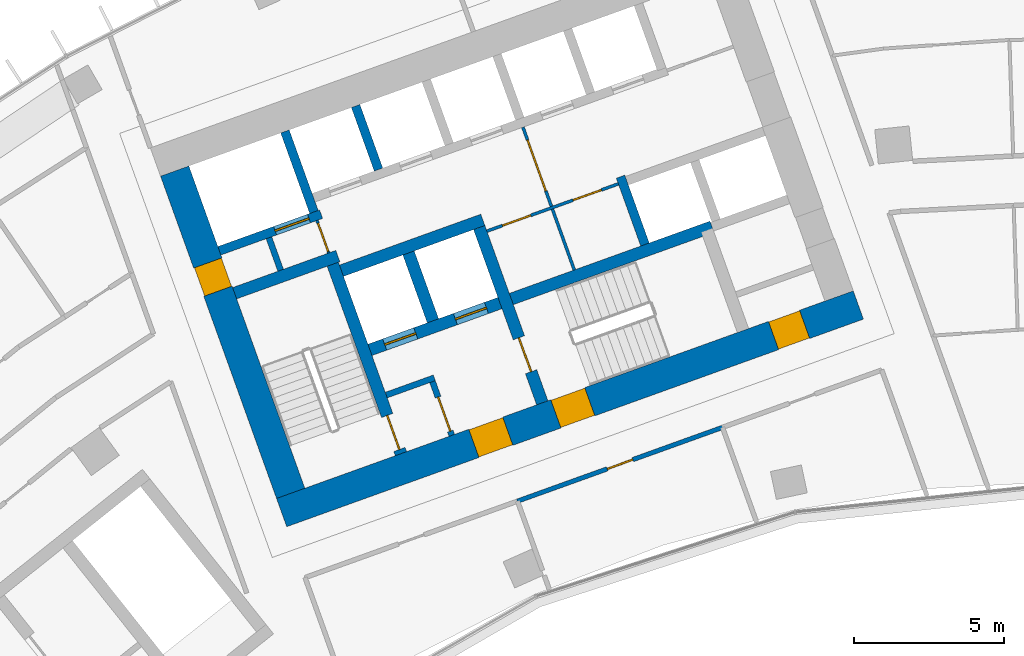
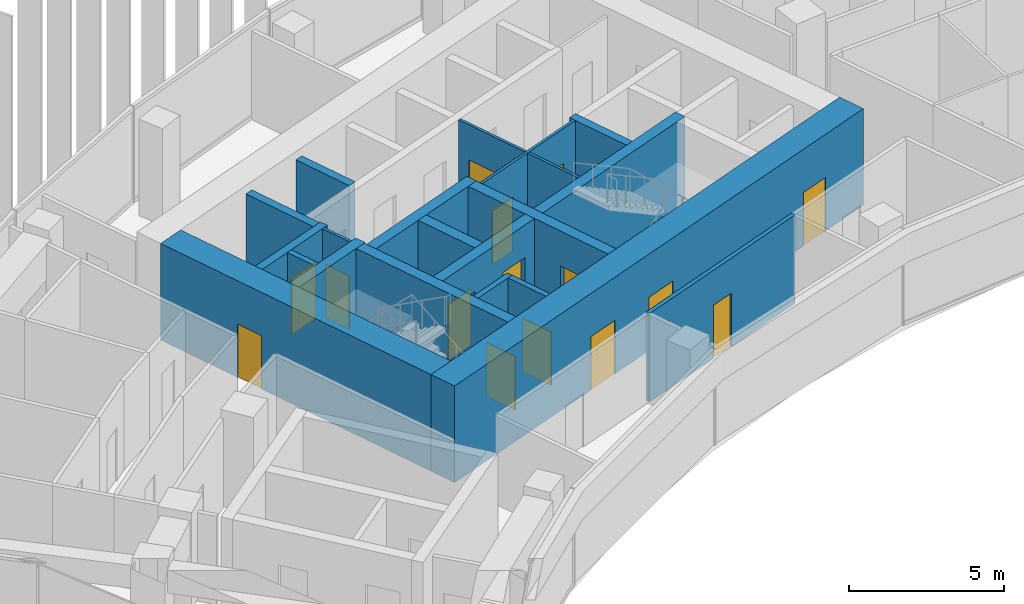
# One storey, part 14 of 20: 19 walls, 15 doors, 15 openings.
"""IFC4 building model written with IfcOpenShell, lengths in metres."""

from ifc_helpers import new_model, si_unit, direction, frame, frame_2d, origin, place, context, subcontext, project, spatial, rectangle, extrude, material, layer, layer_set, type_object, element, fill, save


model = new_model("IFC4")

# Units and contexts
model_context = context("Model", 3, precision=1e-05, world=origin(), true_north=direction((0.0, 1.0)))
body_context = subcontext(model_context, "Body", "Model", "MODEL_VIEW")
ifc_project = project(units=[si_unit("LENGTHUNIT", "METRE"), si_unit("AREAUNIT", "SQUARE_METRE"), si_unit("VOLUMEUNIT", "CUBIC_METRE"), si_unit("PLANEANGLEUNIT", "RADIAN"), si_unit("MASSUNIT", "GRAM", prefix="KILO")], contexts=[model_context])

# Site, building, storey
site_placement = place(None, origin())
site = spatial("IfcSite", under=ifc_project, at=site_placement, CompositionType="ELEMENT")
building_placement = place(site_placement, origin())
building = spatial("IfcBuilding", under=site, at=building_placement, Name="Stone Belt Terrace Tower", CompositionType="ELEMENT")
storey_placement = place(building_placement, frame((0.0, 0.0, 212.39990234375)))
storey = spatial("IfcBuildingStorey", under=building, at=storey_placement, Name="L51", CompositionType="ELEMENT", Elevation=212.39990234375)

# Wall, opening, door
ifc_material_1 = material(Name="Plasterboard partition")
ifc_layer_1 = layer(ifc_material_1, 0.10009765625)
ifc_layer_set_1 = layer_set([ifc_layer_1], Name="Core partition 100")
wall_type_1 = type_object("IfcWallType", Name="Core partition 100", PredefinedType="PARTITIONING", material=ifc_layer_set_1)
wall_1_placement = place(storey_placement, frame((-24.555908203125, 51.10400390625, 0.0), z_axis=(0.0, 0.0, 1.0), x_axis=(-0.338621735342, 0.94092258999, 0.0)))
wall_1 = element("IfcWall", 1, at=wall_1_placement, inside=storey, type_object=wall_type_1, Name="Core A wall", PredefinedType="PARTITIONING", context=body_context, shape_type="SweptSolid", body=[
    extrude(rectangle(XDim=1.14990234375, YDim=0.10009765625, at=frame_2d((0.574951171875, 0.0))), origin(), (0.0, 0.0, 1.0), 3.47998046875),
])
opening_1_placement = place(wall_1_placement, frame((0.050048828125, 0.0, 0.0)))
opening_1 = element("IfcOpeningElement", 2, at=opening_1_placement, cuts=wall_1, Name="Opening L51-C05", PredefinedType="OPENING", context=body_context, shape_type="SweptSolid", body=[
    extrude(rectangle(XDim=1.0, YDim=2.10009765625, at=frame_2d((0.5, 1.050048828125))), frame((0.0, 0.06005859375, 0.0), z_axis=(0.0, -1.0, 0.0), x_axis=(1.0, 0.0, 0.0)), (0.0, 0.0, 1.0), 0.1201171875),
])
ifc_material_2 = material(Name="Timber door leaf", Category="wood")
door_type_1 = type_object("IfcDoorType", Name="Core room door 1000", OperationType="SINGLE_SWING_LEFT", PredefinedType="DOOR", material=ifc_material_2)
door_1_placement = place(opening_1_placement, origin())
door_1 = element("IfcDoor", 3, at=door_1_placement, inside=storey, type_object=door_type_1, Name="Service lift lobby door core A", OperationType="SINGLE_SWING_LEFT", OverallHeight=2.10009765625, OverallWidth=1.0, PredefinedType="DOOR", context=body_context, shape_type="SweptSolid", body=[
    extrude(rectangle(XDim=1.0, YDim=2.10009765625, at=frame_2d((0.5, 1.050048828125))), frame((0.0, 0.02490234375, 0.0), z_axis=(0.0, -1.0, 0.0), x_axis=(1.0, 0.0, 0.0)), (0.0, 0.0, 1.0), 0.050048828125),
])
fill(opening_1, door_1)

# Wall, openings, doors
wall_2_placement = place(storey_placement, frame((-19.29052734375, 51.829833984375, 0.0), z_axis=(0.0, 0.0, 1.0), x_axis=(0.940930240745, 0.338600475563, 0.0)))
wall_2 = element("IfcWall", 4, at=wall_2_placement, inside=storey, type_object=wall_type_1, Name="Core A wall", PredefinedType="PARTITIONING", context=body_context, shape_type="SweptSolid", body=[
    extrude(rectangle(XDim=4.64990234375, YDim=0.10009765625, at=frame_2d((2.324951171875, 0.0))), origin(), (0.0, 0.0, 1.0), 3.47998046875),
])
opening_2_placement = place(wall_2_placement, frame((0.550048828125, 0.0, 0.0)))
opening_2 = element("IfcOpeningElement", 5, at=opening_2_placement, cuts=wall_2, Name="Opening L51-C02", PredefinedType="OPENING", context=body_context, shape_type="SweptSolid", body=[
    extrude(rectangle(XDim=1.0, YDim=2.10009765625, at=frame_2d((0.5, 1.050048828125))), frame((0.0, 0.06005859375, 0.0), z_axis=(0.0, -1.0, 0.0), x_axis=(1.0, 0.0, 0.0)), (0.0, 0.0, 1.0), 0.1201171875),
])
opening_3_placement = place(wall_2_placement, frame((3.050048828125, 0.0, 0.0)))
opening_3 = element("IfcOpeningElement", 6, at=opening_3_placement, cuts=wall_2, Name="Opening L51-C03", PredefinedType="OPENING", context=body_context, shape_type="SweptSolid", body=[
    extrude(rectangle(XDim=1.0, YDim=2.10009765625, at=frame_2d((0.5, 1.050048828125))), frame((0.0, 0.06005859375, 0.0), z_axis=(0.0, -1.0, 0.0), x_axis=(1.0, 0.0, 0.0)), (0.0, 0.0, 1.0), 0.1201171875),
])
door_2_placement = place(opening_2_placement, origin())
door_2 = element("IfcDoor", 7, at=door_2_placement, inside=storey, type_object=door_type_1, Name="Door to Telecommunications room core A", OperationType="SINGLE_SWING_LEFT", OverallHeight=2.10009765625, OverallWidth=1.0, PredefinedType="DOOR", context=body_context, shape_type="SweptSolid", body=[
    extrude(rectangle(XDim=1.0, YDim=2.10009765625, at=frame_2d((0.5, 1.050048828125))), frame((0.0, 0.02490234375, 0.0), z_axis=(0.0, -1.0, 0.0), x_axis=(1.0, 0.0, 0.0)), (0.0, 0.0, 1.0), 0.050048828125),
])
fill(opening_2, door_2)
door_3_placement = place(opening_3_placement, origin())
door_3 = element("IfcDoor", 8, at=door_3_placement, inside=storey, type_object=door_type_1, Name="Door to Archive store core A", OperationType="SINGLE_SWING_RIGHT", OverallHeight=2.10009765625, OverallWidth=1.0, PredefinedType="DOOR", context=body_context, shape_type="SweptSolid", body=[
    extrude(rectangle(XDim=1.0, YDim=2.10009765625, at=frame_2d((0.5, 1.050048828125))), frame((0.0, 0.02490234375, 0.0), z_axis=(0.0, -1.0, 0.0), x_axis=(1.0, 0.0, 0.0)), (0.0, 0.0, 1.0), 0.050048828125),
])
fill(opening_3, door_3)

# Wall, opening, door
wall_3_placement = place(storey_placement, frame((-16.38134765625, 50.53857421875, 0.0), z_axis=(0.0, 0.0, 1.0), x_axis=(-0.33860476744, 0.940928696271, 0.0)))
wall_3 = element("IfcWall", 9, at=wall_3_placement, inside=storey, type_object=wall_type_1, Name="Core A wall", PredefinedType="PARTITIONING", context=body_context, shape_type="SweptSolid", body=[
    extrude(rectangle(XDim=5.050048828125, YDim=0.10009765625, at=frame_2d((2.52490234375, 0.0))), origin(), (0.0, 0.0, 1.0), 3.47998046875),
])
opening_4_placement = place(wall_3_placement, frame((2.800048828125, 0.0, 0.0)))
opening_4 = element("IfcOpeningElement", 10, at=opening_4_placement, cuts=wall_3, Name="Opening L51-C06", PredefinedType="OPENING", context=body_context, shape_type="SweptSolid", body=[
    extrude(rectangle(XDim=1.800048828125, YDim=2.10009765625, at=frame_2d((0.89990234375, 1.050048828125))), frame((0.0, 0.06005859375, 0.0), z_axis=(0.0, -1.0, 0.0), x_axis=(1.0, 0.0, 0.0)), (0.0, 0.0, 1.0), 0.1201171875),
])
ifc_material_3 = material(Name="Glazed aluminium door leaf", Category="aluminium")
door_type_2 = type_object("IfcDoorType", Name="Lift lobby entrance door 1800", OperationType="DOUBLE_DOOR_SINGLE_SWING", PredefinedType="DOOR", material=ifc_material_3)
door_4_placement = place(opening_4_placement, origin())
door_4 = element("IfcDoor", 11, at=door_4_placement, inside=storey, type_object=door_type_2, Name="Lift lobby double door core A", OperationType="DOUBLE_DOOR_SINGLE_SWING", OverallHeight=2.10009765625, OverallWidth=1.800048828125, PredefinedType="DOOR", context=body_context, shape_type="SweptSolid", body=[
    extrude(rectangle(XDim=1.800048828125, YDim=2.10009765625, at=frame_2d((0.89990234375, 1.050048828125))), frame((0.0, 0.02490234375, 0.0), z_axis=(0.0, -1.0, 0.0), x_axis=(1.0, 0.0, 0.0)), (0.0, 0.0, 1.0), 0.050048828125),
])
fill(opening_4, door_4)

# Wall, openings, doors
ifc_material_4 = material(Name="Concrete B60", Category="concrete")
ifc_layer_2 = layer(ifc_material_4, 1.0)
ifc_layer_set_2 = layer_set([ifc_layer_2], Name="Core wall 1000 B60")
wall_type_2 = type_object("IfcWallType", Name="Core wall 1000 B60", PredefinedType="SHEAR", material=ifc_layer_set_2)
wall_4_placement = place(storey_placement, frame((-26.122314453125, 42.462890625, 0.0), z_axis=(0.0, 0.0, 1.0), x_axis=(0.940921428504, 0.338624962727, 0.0)))
wall_4 = element("IfcWall", 12, at=wall_4_placement, inside=storey, type_object=wall_type_2, Name="Core A wall concave L51", PredefinedType="SHEAR", context=body_context, shape_type="SweptSolid", body=[
    extrude(rectangle(XDim=20.400146484375, YDim=1.0, at=frame_2d((10.2001953125, 0.0))), origin(), (0.0, 0.0, 1.0), 3.800048828125),
])
opening_5_placement = place(wall_4_placement, frame((6.800048828125, 0.0, 0.0)))
opening_5 = element("IfcOpeningElement", 13, at=opening_5_placement, cuts=wall_4, Name="Opening L51-C10", PredefinedType="OPENING", context=body_context, shape_type="SweptSolid", body=[
    extrude(rectangle(XDim=1.199951171875, YDim=2.10009765625, at=frame_2d((0.60009765625, 1.050048828125))), frame((0.0, 0.510009765625, 0.0), z_axis=(0.0, -1.0, 0.0), x_axis=(1.0, 0.0, 0.0)), (0.0, 0.0, 1.0), 1.02001953125),
])
opening_6_placement = place(wall_4_placement, frame((9.699951171875, 0.0, 0.0)))
opening_6 = element("IfcOpeningElement", 14, at=opening_6_placement, cuts=wall_4, Name="Opening L51-C12", PredefinedType="OPENING", context=body_context, shape_type="SweptSolid", body=[
    extrude(rectangle(XDim=1.199951171875, YDim=2.10009765625, at=frame_2d((0.60009765625, 1.050048828125))), frame((0.0, 0.510009765625, 0.0), z_axis=(0.0, -1.0, 0.0), x_axis=(1.0, 0.0, 0.0)), (0.0, 0.0, 1.0), 1.02001953125),
])
opening_7_placement = place(wall_4_placement, frame((17.400146484375, 0.0, 0.0)))
opening_7 = element("IfcOpeningElement", 15, at=opening_7_placement, cuts=wall_4, Name="Opening L51-C14", PredefinedType="OPENING", context=body_context, shape_type="SweptSolid", body=[
    extrude(rectangle(XDim=1.10009765625, YDim=2.10009765625, at=frame_2d((0.550048828125, 1.050048828125))), frame((0.0, 0.510009765625, 0.0), z_axis=(0.0, -1.0, 0.0), x_axis=(1.0, 0.0, 0.0)), (0.0, 0.0, 1.0), 1.02001953125),
])
door_type_3 = type_object("IfcDoorType", Name="Core room door 1100", OperationType="SINGLE_SWING_LEFT", PredefinedType="DOOR", material=ifc_material_2)
door_5_placement = place(opening_7_placement, origin())
door_5 = element("IfcDoor", 16, at=door_5_placement, inside=storey, type_object=door_type_3, Name="Door to Pipe riser core A", OperationType="SINGLE_SWING_LEFT", OverallHeight=2.10009765625, OverallWidth=1.10009765625, PredefinedType="DOOR", context=body_context, shape_type="SweptSolid", body=[
    extrude(rectangle(XDim=1.10009765625, YDim=2.10009765625, at=frame_2d((0.550048828125, 1.050048828125))), frame((0.0, 0.47998046875, 0.0), z_axis=(0.0, -1.0, 0.0), x_axis=(1.0, 0.0, 0.0)), (0.0, 0.0, 1.0), 0.9599609375),
])
fill(opening_7, door_5)
ifc_material_5 = material(Name="Steel door leaf", Category="steel")
door_type_4 = type_object("IfcDoorType", Name="Fire-fighting lobby door 1200", OperationType="SINGLE_SWING_LEFT", PredefinedType="DOOR", material=ifc_material_5)
door_6_placement = place(opening_5_placement, origin())
door_6 = element("IfcDoor", 17, at=door_6_placement, inside=storey, type_object=door_type_4, Name="Fire-fighting lobby door core A", OperationType="SINGLE_SWING_LEFT", OverallHeight=2.10009765625, OverallWidth=1.199951171875, PredefinedType="DOOR", context=body_context, shape_type="SweptSolid", body=[
    extrude(rectangle(XDim=1.199951171875, YDim=2.10009765625, at=frame_2d((0.60009765625, 1.050048828125))), frame((0.0, 0.47998046875, 0.0), z_axis=(0.0, -1.0, 0.0), x_axis=(1.0, 0.0, 0.0)), (0.0, 0.0, 1.0), 0.9599609375),
])
fill(opening_5, door_6)
door_type_5 = type_object("IfcDoorType", Name="Stair door 1200", OperationType="SINGLE_SWING_LEFT", PredefinedType="DOOR", material=ifc_material_5)
door_7_placement = place(opening_6_placement, origin())
door_7 = element("IfcDoor", 18, at=door_7_placement, inside=storey, type_object=door_type_5, Name="Stair 2 exit door core A", OperationType="SINGLE_SWING_RIGHT", OverallHeight=2.10009765625, OverallWidth=1.199951171875, PredefinedType="DOOR", context=body_context, shape_type="SweptSolid", body=[
    extrude(rectangle(XDim=1.199951171875, YDim=2.10009765625, at=frame_2d((0.60009765625, 1.050048828125))), frame((0.0, 0.47998046875, 0.0), z_axis=(0.0, -1.0, 0.0), x_axis=(1.0, 0.0, 0.0)), (0.0, 0.0, 1.0), 0.9599609375),
])
fill(opening_6, door_7)

# Wall, opening, door
wall_5_placement = place(storey_placement, frame((-25.821044921875, 43.102783203125, 0.0), z_axis=(0.0, 0.0, 1.0), x_axis=(-0.338625431531, 0.940921259788, 0.0)))
wall_5 = element("IfcWall", 19, at=wall_5_placement, inside=storey, type_object=wall_type_2, Name="Core A wall end_a L51", PredefinedType="SHEAR", context=body_context, shape_type="SweptSolid", body=[
    extrude(rectangle(XDim=11.400146484375, YDim=1.0, at=frame_2d((5.7001953125, 0.0))), origin(), (0.0, 0.0, 1.0), 3.800048828125),
])
opening_8_placement = place(wall_5_placement, frame((7.14990234375, 0.0, 0.0)))
opening_8 = element("IfcOpeningElement", 20, at=opening_8_placement, cuts=wall_5, Name="Opening L51-C04", PredefinedType="OPENING", context=body_context, shape_type="SweptSolid", body=[
    extrude(rectangle(XDim=1.0, YDim=2.10009765625, at=frame_2d((0.5, 1.050048828125))), frame((0.0, 0.510009765625, 0.0), z_axis=(0.0, -1.0, 0.0), x_axis=(1.0, 0.0, 0.0)), (0.0, 0.0, 1.0), 1.02001953125),
])
door_8_placement = place(opening_8_placement, origin())
door_8 = element("IfcDoor", 21, at=door_8_placement, inside=storey, type_object=door_type_1, Name="Door to Telecommunications riser room core A", OperationType="SINGLE_SWING_RIGHT", OverallHeight=2.10009765625, OverallWidth=1.0, PredefinedType="DOOR", context=body_context, shape_type="SweptSolid", body=[
    extrude(rectangle(XDim=1.0, YDim=2.10009765625, at=frame_2d((0.5, 1.050048828125))), frame((0.0, 0.47021484375, 0.0), z_axis=(0.0, -1.0, 0.0), x_axis=(1.0, 0.0, 0.0)), (0.0, 0.0, 1.0), 0.949951171875),
])
fill(opening_8, door_8)

# Walls
ifc_material_6 = material(Name="Concrete B80", Category="concrete")
ifc_layer_3 = layer(ifc_material_6, 0.39990234375)
ifc_layer_set_3 = layer_set([ifc_layer_3], Name="Fire-fighting lift shaft wall 400")
wall_type_3 = type_object("IfcWallType", Name="Fire-fighting lift shaft wall 400", PredefinedType="SHEAR", material=ifc_layer_set_3)
wall_6_placement = place(storey_placement, frame((-24.130615234375, 50.512939453125, 0.0), z_axis=(0.0, 0.0, 1.0), x_axis=(0.94091168377, 0.338652038744, 0.0)))
element("IfcWall", 22, at=wall_6_placement, inside=storey, type_object=wall_type_3, Name="Core A wall", PredefinedType="SHEAR", context=body_context, shape_type="SweptSolid", body=[
    extrude(rectangle(XDim=5.000244140625, YDim=0.39990234375, at=frame_2d((2.5, 0.0))), origin(), (0.0, 0.0, 1.0), 3.47998046875),
])
wall_7_placement = place(storey_placement, frame((-21.0859375, 48.845458984375, 0.0), z_axis=(0.0, 0.0, 1.0), x_axis=(-0.338629416206, 0.940919825745, 0.0)))
element("IfcWall", 23, at=wall_7_placement, inside=storey, type_object=wall_type_3, Name="Core A wall", PredefinedType="SHEAR", context=body_context, shape_type="SweptSolid", body=[
    extrude(rectangle(XDim=2.400146484375, YDim=0.39990234375, at=frame_2d((1.2001953125, 0.0))), origin(), (0.0, 0.0, 1.0), 3.47998046875),
])

# Wall, opening, door
ifc_layer_4 = layer(ifc_material_6, 0.300048828125)
ifc_layer_set_4 = layer_set([ifc_layer_4], Name="Lift shaft wall 300")
wall_type_4 = type_object("IfcWallType", Name="Lift shaft wall 300", PredefinedType="SHEAR", material=ifc_layer_set_4)
wall_8_placement = place(storey_placement, frame((-28.195068359375, 51.17578125, 0.0), z_axis=(0.0, 0.0, 1.0), x_axis=(0.940901243567, 0.338681044427, 0.0)))
wall_8 = element("IfcWall", 24, at=wall_8_placement, inside=storey, type_object=wall_type_4, Name="Core A wall", PredefinedType="SHEAR", context=body_context, shape_type="SweptSolid", body=[
    extrude(rectangle(XDim=3.599853515625, YDim=0.300048828125, at=frame_2d((1.7998046875, 0.0))), origin(), (0.0, 0.0, 1.0), 3.47998046875),
])
opening_9_placement = place(wall_8_placement, frame((1.969970703125, 0.0, 0.0)))
opening_9 = element("IfcOpeningElement", 25, at=opening_9_placement, cuts=wall_8, Name="Opening L51-LD08", PredefinedType="OPENING", context=body_context, shape_type="SweptSolid", body=[
    extrude(rectangle(XDim=1.199951171875, YDim=2.199951171875, at=frame_2d((0.60009765625, 1.10009765625))), frame((0.0, 0.159912109375, 0.0), z_axis=(0.0, -1.0, 0.0), x_axis=(1.0, 0.0, 0.0)), (0.0, 0.0, 1.0), 0.320068359375),
])
ifc_material_7 = material(Name="Stainless steel door leaf", Category="steel")
door_type_6 = type_object("IfcDoorType", Name="Landing door 1200", OperationType="SLIDING_TO_LEFT", PredefinedType="DOOR", material=ifc_material_7)
door_9_placement = place(opening_9_placement, origin())
door_9 = element("IfcDoor", 26, at=door_9_placement, inside=storey, type_object=door_type_6, Name="Landing door SV1 core A", OperationType="SLIDING_TO_LEFT", OverallHeight=2.199951171875, OverallWidth=1.199951171875, PredefinedType="DOOR", context=body_context, shape_type="SweptSolid", body=[
    extrude(rectangle(XDim=1.199951171875, YDim=2.199951171875, at=frame_2d((0.60009765625, 1.10009765625))), frame((0.0, 0.02490234375, 0.0), z_axis=(0.0, -1.0, 0.0), x_axis=(1.0, 0.0, 0.0)), (0.0, 0.0, 1.0), 0.050048828125),
])
fill(opening_9, door_9)

# Walls
wall_9_placement = place(storey_placement, frame((-25.046875, 52.46826171875, 0.0), z_axis=(0.0, 0.0, 1.0), x_axis=(-0.338549588058, 0.940948551423, 0.0)))
element("IfcWall", 27, at=wall_9_placement, inside=storey, type_object=wall_type_4, Name="Core A wall", PredefinedType="SHEAR", context=body_context, shape_type="SweptSolid", body=[
    extrude(rectangle(XDim=2.849853515625, YDim=0.300048828125, at=frame_2d((1.4248046875, 0.0))), origin(), (0.0, 0.0, 1.0), 3.47998046875),
])
wall_10_placement = place(storey_placement, frame((-22.897705078125, 53.87939453125, 0.0), z_axis=(0.0, 0.0, 1.0), x_axis=(-0.338535034312, 0.940953787677, 0.0)))
element("IfcWall", 28, at=wall_10_placement, inside=storey, type_object=wall_type_4, Name="Core A wall", PredefinedType="SHEAR", context=body_context, shape_type="SweptSolid", body=[
    extrude(rectangle(XDim=2.25, YDim=0.300048828125, at=frame_2d((1.125, 0.0))), origin(), (0.0, 0.0, 1.0), 3.47998046875),
])
wall_11_placement = place(storey_placement, frame((-14.029052734375, 51.38525390625, 0.0), z_axis=(0.0, 0.0, 1.0), x_axis=(-0.338661829791, 0.940908159728, 0.0)))
element("IfcWall", 29, at=wall_11_placement, inside=storey, type_object=wall_type_4, Name="Core A wall", PredefinedType="SHEAR", context=body_context, shape_type="SweptSolid", body=[
    extrude(rectangle(XDim=2.39990234375, YDim=0.300048828125, at=frame_2d((1.199951171875, 0.0))), origin(), (0.0, 0.0, 1.0), 3.47998046875),
])

# Wall, opening, door
ifc_material_8 = material(Name="Gypsum board partition")
ifc_layer_5 = layer(ifc_material_8, 0.14990234375)
ifc_layer_set_5 = layer_set([ifc_layer_5], Name="PARTITION 150 EI 60")
wall_type_5 = type_object("IfcWallType", Name="PARTITION 150 EI 60", PredefinedType="PARTITIONING", material=ifc_layer_set_5)
wall_12_placement = place(storey_placement, frame((-11.443115234375, 45.301025390625, 0.0), z_axis=(0.0, 0.0, 1.0), x_axis=(-0.940942249556, -0.338567102655, 0.0)))
wall_12 = element("IfcWall", 30, at=wall_12_placement, inside=storey, type_object=wall_type_5, Name="L51/wall/i016", PredefinedType="PARTITIONING", context=body_context, shape_type="SweptSolid", body=[
    extrude(rectangle(XDim=7.262939453125, YDim=0.14990234375, at=frame_2d((3.63134765625, 0.0))), origin(), (0.0, 0.0, 1.0), 3.47998046875),
])
opening_10_placement = place(wall_12_placement, frame((3.181396484375, 0.0, 0.0)))
opening_10 = element("IfcOpeningElement", 31, at=opening_10_placement, cuts=wall_12, Name="Opening D-D2b-02", PredefinedType="OPENING", context=body_context, shape_type="SweptSolid", body=[
    extrude(rectangle(XDim=0.89990234375, YDim=2.10009765625, at=frame_2d((0.449951171875, 1.050048828125))), frame((0.0, 0.0849609375, 0.0), z_axis=(0.0, -1.0, 0.0), x_axis=(1.0, 0.0, 0.0)), (0.0, 0.0, 1.0), 0.169921875),
])
door_type_7 = type_object("IfcDoorType", Name="OFFICE DOOR 900 X 2100", OperationType="NOTDEFINED", PredefinedType="DOOR", material=ifc_material_2)
door_10_placement = place(opening_10_placement, origin())
door_10 = element("IfcDoor", 32, at=door_10_placement, inside=storey, type_object=door_type_7, Name="L51/door/i02", OperationType="SINGLE_SWING_RIGHT", OverallHeight=2.10009765625, OverallWidth=0.89990234375, PredefinedType="DOOR", context=body_context, shape_type="SweptSolid", body=[
    extrude(rectangle(XDim=0.89990234375, YDim=2.10009765625, at=frame_2d((0.449951171875, 1.050048828125))), frame((0.0, 0.02490234375, 0.0), z_axis=(0.0, -1.0, 0.0), x_axis=(1.0, 0.0, 0.0)), (0.0, 0.0, 1.0), 0.050048828125),
])
fill(opening_10, door_10)

# Walls
ifc_material_9 = material(Name="Concrete masonry block", Category="masonry")
ifc_layer_6 = layer(ifc_material_9, 0.199951171875)
ifc_layer_set_6 = layer_set([ifc_layer_6], Name="Rated lobby wall 200")
wall_type_6 = type_object("IfcWallType", Name="Rated lobby wall 200", PredefinedType="PARTITIONING", material=ifc_layer_set_6)
wall_13_placement = place(storey_placement, frame((-26.1552734375, 50.5283203125, 0.0), z_axis=(0.0, 0.0, 1.0), x_axis=(-0.338621735342, 0.94092258999, 0.0)))
element("IfcWall", 33, at=wall_13_placement, inside=storey, type_object=wall_type_6, Name="Core A wall", PredefinedType="PARTITIONING", context=body_context, shape_type="SweptSolid", body=[
    extrude(rectangle(XDim=1.14990234375, YDim=0.199951171875, at=frame_2d((0.574951171875, 0.0))), origin(), (0.0, 0.0, 1.0), 3.47998046875),
])
wall_14_placement = place(storey_placement, frame((-22.640625, 46.373046875, 0.0), z_axis=(0.0, 0.0, 1.0), x_axis=(0.940966110313, 0.338500781747, 0.0)))
element("IfcWall", 34, at=wall_14_placement, inside=storey, type_object=wall_type_6, Name="Core A wall", PredefinedType="PARTITIONING", context=body_context, shape_type="SweptSolid", body=[
    extrude(rectangle(XDim=1.699951171875, YDim=0.199951171875, at=frame_2d((0.85009765625, 0.0))), origin(), (0.0, 0.0, 1.0), 3.47998046875),
])

# Wall, opening, door
wall_15_placement = place(storey_placement, frame((-20.4580078125, 45.032958984375, 0.0), z_axis=(0.0, 0.0, 1.0), x_axis=(-0.338573865316, 0.940939816208, 0.0)))
wall_15 = element("IfcWall", 35, at=wall_15_placement, inside=storey, type_object=wall_type_6, Name="Core A wall", PredefinedType="PARTITIONING", context=body_context, shape_type="SweptSolid", body=[
    extrude(rectangle(XDim=1.900146484375, YDim=0.199951171875, at=frame_2d((0.9501953125, 0.0))), origin(), (0.0, 0.0, 1.0), 3.47998046875),
])
opening_11_placement = place(wall_15_placement, frame((0.14990234375, 0.0, 0.0)))
opening_11 = element("IfcOpeningElement", 36, at=opening_11_placement, cuts=wall_15, Name="Opening L51-C09", PredefinedType="OPENING", context=body_context, shape_type="SweptSolid", body=[
    extrude(rectangle(XDim=1.199951171875, YDim=2.10009765625, at=frame_2d((0.60009765625, 1.050048828125))), frame((0.0, 0.10986328125, 0.0), z_axis=(0.0, -1.0, 0.0), x_axis=(1.0, 0.0, 0.0)), (0.0, 0.0, 1.0), 0.219970703125),
])
door_11_placement = place(opening_11_placement, origin())
door_11 = element("IfcDoor", 37, at=door_11_placement, inside=storey, type_object=door_type_5, Name="Stair airlock door core A", OperationType="SINGLE_SWING_LEFT", OverallHeight=2.10009765625, OverallWidth=1.199951171875, PredefinedType="DOOR", context=body_context, shape_type="SweptSolid", body=[
    extrude(rectangle(XDim=1.199951171875, YDim=2.10009765625, at=frame_2d((0.60009765625, 1.050048828125))), frame((0.0, 0.02490234375, 0.0), z_axis=(0.0, -1.0, 0.0), x_axis=(1.0, 0.0, 0.0)), (0.0, 0.0, 1.0), 0.050048828125),
])
fill(opening_11, door_11)

# Wall
ifc_layer_7 = layer(ifc_material_6, 0.39990234375)
ifc_layer_set_7 = layer_set([ifc_layer_7], Name="Stair enclosure wall 400")
wall_type_7 = type_object("IfcWallType", Name="Stair enclosure wall 400", PredefinedType="SHEAR", material=ifc_layer_set_7)
wall_16_placement = place(storey_placement, frame((-27.687255859375, 49.764404296875, 0.0), z_axis=(0.0, 0.0, 1.0), x_axis=(0.940918954884, 0.338631835981, 0.0)))
element("IfcWall", 38, at=wall_16_placement, inside=storey, type_object=wall_type_7, Name="Core A wall", PredefinedType="SHEAR", context=body_context, shape_type="SweptSolid", body=[
    extrude(rectangle(XDim=3.650146484375, YDim=0.39990234375, at=frame_2d((1.8251953125, 0.0))), origin(), (0.0, 0.0, 1.0), 3.47998046875),
])

# Wall, opening, door
wall_17_placement = place(storey_placement, frame((-22.151611328125, 44.42333984375, 0.0), z_axis=(0.0, 0.0, 1.0), x_axis=(-0.338625272931, 0.940921316866, 0.0)))
wall_17 = element("IfcWall", 39, at=wall_17_placement, inside=storey, type_object=wall_type_7, Name="Core A wall", PredefinedType="SHEAR", context=body_context, shape_type="SweptSolid", body=[
    extrude(rectangle(XDim=6.699951171875, YDim=0.39990234375, at=frame_2d((3.35009765625, 0.0))), origin(), (0.0, 0.0, 1.0), 3.47998046875),
])
opening_12_placement = place(wall_17_placement, frame((0.14990234375, 0.0, 0.0)))
opening_12 = element("IfcOpeningElement", 40, at=opening_12_placement, cuts=wall_17, Name="Opening L51-C08", PredefinedType="OPENING", context=body_context, shape_type="SweptSolid", body=[
    extrude(rectangle(XDim=1.199951171875, YDim=2.10009765625, at=frame_2d((0.60009765625, 1.050048828125))), frame((0.0, 0.2099609375, 0.0), z_axis=(0.0, -1.0, 0.0), x_axis=(1.0, 0.0, 0.0)), (0.0, 0.0, 1.0), 0.419921875),
])
door_12_placement = place(opening_12_placement, origin())
door_12 = element("IfcDoor", 41, at=door_12_placement, inside=storey, type_object=door_type_5, Name="Stair 1 door core A", OperationType="SINGLE_SWING_LEFT", OverallHeight=2.10009765625, OverallWidth=1.199951171875, PredefinedType="DOOR", context=body_context, shape_type="SweptSolid", body=[
    extrude(rectangle(XDim=1.199951171875, YDim=2.10009765625, at=frame_2d((0.60009765625, 1.050048828125))), frame((0.0, 0.02490234375, 0.0), z_axis=(0.0, -1.0, 0.0), x_axis=(1.0, 0.0, 0.0)), (0.0, 0.0, 1.0), 0.050048828125),
])
fill(opening_12, door_12)

# Wall, openings, doors
wall_18_placement = place(storey_placement, frame((-23.182373046875, 47.87841796875, 0.0), z_axis=(0.0, 0.0, 1.0), x_axis=(0.940921101762, 0.338625870628, 0.0)))
wall_18 = element("IfcWall", 42, at=wall_18_placement, inside=storey, type_object=wall_type_7, Name="Core A wall", PredefinedType="SHEAR", context=body_context, shape_type="SweptSolid", body=[
    extrude(rectangle(XDim=12.10009765625, YDim=0.39990234375, at=frame_2d((6.050048828125, 0.0))), origin(), (0.0, 0.0, 1.0), 3.47998046875),
])
opening_13_placement = place(wall_18_placement, frame((0.52001953125, 0.0, 0.0)))
opening_13 = element("IfcOpeningElement", 43, at=opening_13_placement, cuts=wall_18, Name="Opening L51-LD06", PredefinedType="OPENING", context=body_context, shape_type="SweptSolid", body=[
    extrude(rectangle(XDim=1.10009765625, YDim=2.199951171875, at=frame_2d((0.550048828125, 1.10009765625))), frame((0.0, 0.2099609375, 0.0), z_axis=(0.0, -1.0, 0.0), x_axis=(1.0, 0.0, 0.0)), (0.0, 0.0, 1.0), 0.419921875),
])
opening_14_placement = place(wall_18_placement, frame((3.02001953125, 0.0, 0.0)))
opening_14 = element("IfcOpeningElement", 44, at=opening_14_placement, cuts=wall_18, Name="Opening L51-LD07", PredefinedType="OPENING", context=body_context, shape_type="SweptSolid", body=[
    extrude(rectangle(XDim=1.10009765625, YDim=2.199951171875, at=frame_2d((0.550048828125, 1.10009765625))), frame((0.0, 0.2099609375, 0.0), z_axis=(0.0, -1.0, 0.0), x_axis=(1.0, 0.0, 0.0)), (0.0, 0.0, 1.0), 0.419921875),
])
door_type_8 = type_object("IfcDoorType", Name="Landing door 1100", OperationType="SLIDING_TO_LEFT", PredefinedType="DOOR", material=ifc_material_7)
door_13_placement = place(opening_13_placement, origin())
door_13 = element("IfcDoor", 45, at=door_13_placement, inside=storey, type_object=door_type_8, Name="Landing door FF1 core A", OperationType="SLIDING_TO_LEFT", OverallHeight=2.199951171875, OverallWidth=1.10009765625, PredefinedType="DOOR", context=body_context, shape_type="SweptSolid", body=[
    extrude(rectangle(XDim=1.10009765625, YDim=2.199951171875, at=frame_2d((0.550048828125, 1.10009765625))), frame((0.0, 0.02490234375, 0.0), z_axis=(0.0, -1.0, 0.0), x_axis=(1.0, 0.0, 0.0)), (0.0, 0.0, 1.0), 0.050048828125),
])
fill(opening_13, door_13)
door_14_placement = place(opening_14_placement, origin())
door_14 = element("IfcDoor", 46, at=door_14_placement, inside=storey, type_object=door_type_8, Name="Landing door FF2 core A", OperationType="SLIDING_TO_LEFT", OverallHeight=2.199951171875, OverallWidth=1.10009765625, PredefinedType="DOOR", context=body_context, shape_type="SweptSolid", body=[
    extrude(rectangle(XDim=1.10009765625, YDim=2.199951171875, at=frame_2d((0.550048828125, 1.10009765625))), frame((0.0, 0.02490234375, 0.0), z_axis=(0.0, -1.0, 0.0), x_axis=(1.0, 0.0, 0.0)), (0.0, 0.0, 1.0), 0.050048828125),
])
fill(opening_14, door_14)

# Wall, opening, door
wall_19_placement = place(storey_placement, frame((-17.447021484375, 46.116455078125, 0.0), z_axis=(0.0, 0.0, 1.0), x_axis=(-0.33860791464, 0.940927563707, 0.0)))
wall_19 = element("IfcWall", 47, at=wall_19_placement, inside=storey, type_object=wall_type_7, Name="Core A wall", PredefinedType="SHEAR", context=body_context, shape_type="SweptSolid", body=[
    extrude(rectangle(XDim=6.199951171875, YDim=0.39990234375, at=frame_2d((3.10009765625, 0.0))), origin(), (0.0, 0.0, 1.0), 3.47998046875),
])
opening_15_placement = place(wall_19_placement, frame((1.10009765625, 0.0, 0.0)))
opening_15 = element("IfcOpeningElement", 48, at=opening_15_placement, cuts=wall_19, Name="Opening L51-C11", PredefinedType="OPENING", context=body_context, shape_type="SweptSolid", body=[
    extrude(rectangle(XDim=1.199951171875, YDim=2.10009765625, at=frame_2d((0.60009765625, 1.050048828125))), frame((0.0, 0.2099609375, 0.0), z_axis=(0.0, -1.0, 0.0), x_axis=(1.0, 0.0, 0.0)), (0.0, 0.0, 1.0), 0.419921875),
])
door_15_placement = place(opening_15_placement, origin())
door_15 = element("IfcDoor", 49, at=door_15_placement, inside=storey, type_object=door_type_5, Name="Stair 2 door core A", OperationType="SINGLE_SWING_LEFT", OverallHeight=2.10009765625, OverallWidth=1.199951171875, PredefinedType="DOOR", context=body_context, shape_type="SweptSolid", body=[
    extrude(rectangle(XDim=1.199951171875, YDim=2.10009765625, at=frame_2d((0.60009765625, 1.050048828125))), frame((0.0, 0.02490234375, 0.0), z_axis=(0.0, -1.0, 0.0), x_axis=(1.0, 0.0, 0.0)), (0.0, 0.0, 1.0), 0.050048828125),
])
fill(opening_15, door_15)

save(model, "model.ifc")
